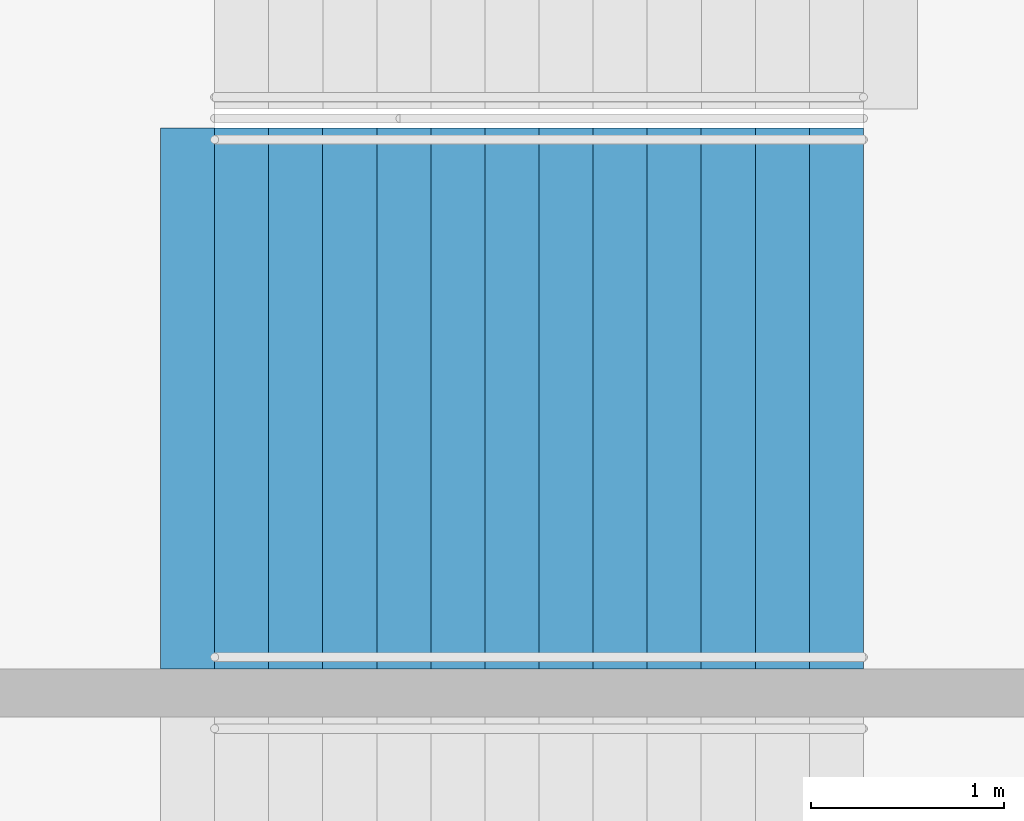
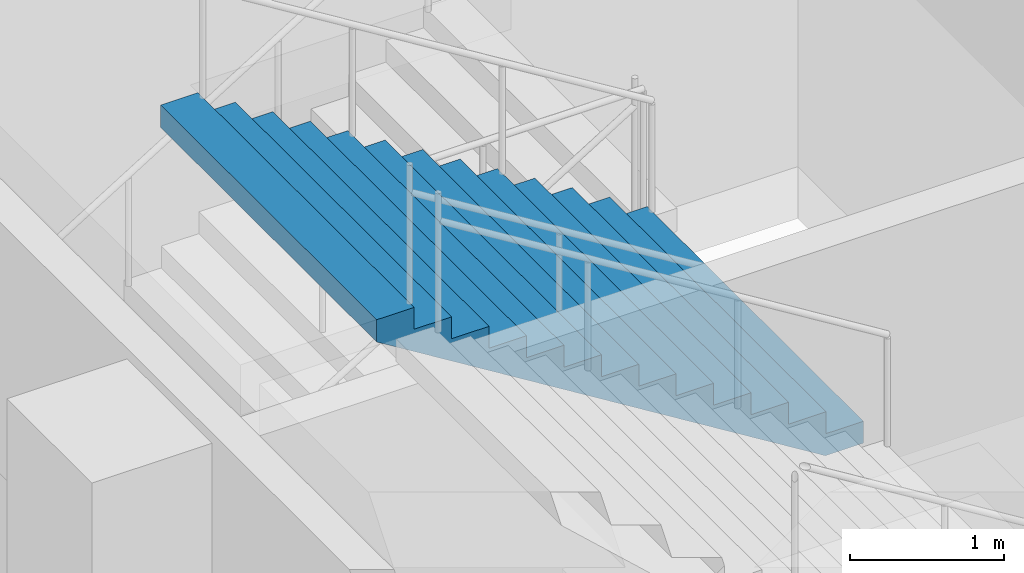
# One storey, part 121 of 177: 1 stair flight, 1 element without a shape of its own.
"""IFC4 building model written with IfcOpenShell, lengths in metres."""

import ifcopenshell
import ifcopenshell.guid

model = None  # the IFC model being written
_history = None  # IfcOwnerHistory: only IFC2X3 demands one
_inside = {}  # id of a spatial element -> (the spatial element, [elements in it])
_under = {}  # id of a project, library or spatial element -> (it, [spatial elements below it])
_declared = {}  # id of a project -> (the project, [libraries it declares])
_typed = {}  # id of a type object -> (the type object, [elements of that type])
_made_of = {}  # id of a material, layer set ... -> (it, [elements and type objects made of it])


def new_model(schema):
    """Start an empty IFC model of exactly this schema.

    Asked for "IFC4X3", IfcOpenShell would pick the latest addendum, in which some entities
    have other attributes; the version numbers below select the first issue.
    IFC2X3 requires an IfcOwnerHistory on every rooted entity: one is made here for all.
    """
    global model, _history
    if schema == "IFC4X3":
        model = ifcopenshell.file(schema_version=(4, 3, 0, 0))
    else:
        model = ifcopenshell.file(schema=schema)
    _inside.clear()
    _under.clear()
    _declared.clear()
    _typed.clear()
    _made_of.clear()
    _history = None
    if model.schema == "IFC2X3":
        org = make("IfcOrganization", Name="unknown")
        user = make(
            "IfcPersonAndOrganization",
            ThePerson=make("IfcPerson", FamilyName="unknown"),
            TheOrganization=org,
        )
        app = make(
            "IfcApplication",
            ApplicationDeveloper=org,
            Version="unknown",
            ApplicationFullName="unknown",
            ApplicationIdentifier="unknown",
        )
        _history = make(
            "IfcOwnerHistory",
            OwningUser=user,
            OwningApplication=app,
            ChangeAction="ADDED",
            CreationDate=0,
        )
    return model


def make(cls, **values):
    """One entity of the class cls with the attributes given. An attribute that is None is left unset."""
    return model.create_entity(
        cls, **{name: value for name, value in values.items() if value is not None}
    )


def rooted(cls, **values):
    """An entity with a GlobalId (a new one), such as an element, a storey or a relation."""
    return make(cls, GlobalId=ifcopenshell.guid.new(), OwnerHistory=_history, **values)


def si_unit(unit_type, name, prefix=None):
    """IfcSIUnit, for example si_unit("LENGTHUNIT", "METRE", prefix="MILLI")."""
    return make("IfcSIUnit", UnitType=unit_type, Prefix=prefix, Name=name)


def assignment(units):
    """IfcUnitAssignment: the units of a project."""
    return None if units is None else make("IfcUnitAssignment", Units=units)


def point(xyz):
    """IfcCartesianPoint."""
    return None if xyz is None else make("IfcCartesianPoint", Coordinates=xyz)


def direction(xyz):
    """IfcDirection."""
    return None if xyz is None else make("IfcDirection", DirectionRatios=xyz)


def frame(location, z_axis=None, x_axis=None):
    """IfcAxis2Placement3D, a coordinate frame: its origin and axes. An axis left out is left unset."""
    return make(
        "IfcAxis2Placement3D",
        Location=point(location),
        Axis=direction(z_axis),
        RefDirection=direction(x_axis),
    )


def origin():
    """The frame at (0, 0, 0) with its axes left unset."""
    return frame((0.0, 0.0, 0.0))


def place(relative_to, where):
    """IfcLocalPlacement: puts the frame where relative to a parent placement (None: the world)."""
    return make(
        "IfcLocalPlacement", PlacementRelTo=relative_to, RelativePlacement=where
    )


def context(
    kind, dimensions, precision=None, world=None, true_north=None, identifier=None
):
    """IfcGeometricRepresentationContext, for example the 3D "Model" context."""
    return make(
        "IfcGeometricRepresentationContext",
        ContextIdentifier=identifier,
        ContextType=kind,
        CoordinateSpaceDimension=dimensions,
        Precision=precision,
        WorldCoordinateSystem=world,
        TrueNorth=true_north,
    )


def subcontext(parent, identifier, kind, view, scale=None):
    """IfcGeometricRepresentationSubContext, for example "Body" below "Model"."""
    return make(
        "IfcGeometricRepresentationSubContext",
        ContextIdentifier=identifier,
        ContextType=kind,
        ParentContext=parent,
        TargetScale=scale,
        TargetView=view,
    )


def project(units=None, contexts=None):
    """IfcProject with its units and contexts."""
    return rooted(
        "IfcProject",
        Name="project",
        RepresentationContexts=contexts,
        UnitsInContext=assignment(units),
    )


def spatial(cls, under=None, at=None, **own):
    """A site, building, storey or space (cls), placed at a placement, below another one or the project."""
    s = rooted(cls, ObjectPlacement=at, **own)
    if under is not None:
        _under.setdefault(under.id(), (under, []))[1].append(s)
    return s


def faces_of(points, faces, orient=None, outer=None):
    """IfcFace entities. A face is a list of loops; a loop is a list of indices into points, from 0.

    orient and outer hold one flag for each loop. By default every Orientation is true, the
    first loop of a face is its IfcFaceOuterBound and the others are IfcFaceBound.
    """
    made = []
    for i, loops in enumerate(faces):
        bounds = []
        for j, loop in enumerate(loops):
            is_outer = j == 0 if outer is None else outer[i][j]
            bounds.append(
                make(
                    "IfcFaceOuterBound" if is_outer else "IfcFaceBound",
                    Bound=make("IfcPolyLoop", Polygon=[points[k] for k in loop]),
                    Orientation=True if orient is None else orient[i][j],
                )
            )
        made.append(make("IfcFace", Bounds=bounds))
    return made


def faceted_brep(points, faces, orient=None, outer=None, voids=None):
    """IfcFacetedBrep: a solid bounded by flat faces; with voids (closed shells), ...WithVoids."""
    shared = [point(p) for p in points]
    hull = make("IfcClosedShell", CfsFaces=faces_of(shared, faces, orient, outer))
    if voids is None:
        return make("IfcFacetedBrep", Outer=hull)
    return make(
        "IfcFacetedBrepWithVoids",
        Outer=hull,
        Voids=[
            make(cls, CfsFaces=faces_of(shared, fs, o, b)) for cls, fs, o, b in voids
        ],
    )


def shape(context_of_items, identifier, shape_type, items):
    """IfcShapeRepresentation: the items that make up one representation, for example the "Body"."""
    return make(
        "IfcShapeRepresentation",
        ContextOfItems=context_of_items,
        RepresentationIdentifier=identifier,
        RepresentationType=shape_type,
        Items=items,
    )


def material(Name=None, Category=None):
    """IfcMaterial."""
    return make("IfcMaterial", Name=Name, Category=Category)


def made_of(thing, what):
    """Note that an element or type object is made of a material, layer set ...; save() writes the relation."""
    if what is not None:
        _made_of.setdefault(what.id(), (what, []))[1].append(thing)
    return thing


def type_object(cls, material=None, **own):
    """A type object (cls), such as IfcWallType, which elements share."""
    return made_of(rooted(cls, **own), material)


def element(
    cls,
    number,
    at=None,
    inside=None,
    cuts=None,
    type_object=None,
    material=None,
    context=None,
    identifier="Body",
    shape_type=None,
    held_by="IfcProductDefinitionShape",
    body=None,
    shapes=None,
    **own,
):
    """One element of the class cls, such as IfcWall. Its Tag is "e" and its number.

    at: its placement. inside: the storey or other place that contains it. cuts: it is an
    opening in that element (IfcRelVoidsElement). A single representation is given by context,
    identifier, shape_type and body (its items); several are given by shapes. held_by: the class
    of the entity that holds the representations. save() writes the other relations.
    """
    e = rooted(cls, Tag="e%d" % number, ObjectPlacement=at, **own)
    if body is not None:
        shapes = [shape(context, identifier, shape_type, body)]
    if shapes is not None:
        e.Representation = make(held_by, Representations=shapes)
    if inside is not None:
        _inside.setdefault(inside.id(), (inside, []))[1].append(e)
    if cuts is not None:
        rooted(
            "IfcRelVoidsElement", RelatingBuildingElement=cuts, RelatedOpeningElement=e
        )
    if type_object is not None:
        _typed.setdefault(type_object.id(), (type_object, []))[1].append(e)
    return made_of(e, material)


def aggregate(whole, parts):
    """IfcRelAggregates: a whole, such as a stair, and the parts it consists of."""
    return rooted("IfcRelAggregates", RelatingObject=whole, RelatedObjects=parts)


def save(model, path):
    """Write the relations noted so far, then the file.

    IfcRelAggregates (storeys below a building ...), IfcRelContainedInSpatialStructure (elements
    in a storey), IfcRelDefinesByType, IfcRelAssociatesMaterial and IfcRelDeclares: one each for
    every whole, place, type object, material and project.
    """
    for whole, parts in _under.values():
        aggregate(whole, parts)
    for where, things in _inside.values():
        rooted(
            "IfcRelContainedInSpatialStructure",
            RelatedElements=things,
            RelatingStructure=where,
        )
    for kind, things in _typed.values():
        rooted("IfcRelDefinesByType", RelatedObjects=things, RelatingType=kind)
    for what, things in _made_of.values():
        rooted("IfcRelAssociatesMaterial", RelatedObjects=things, RelatingMaterial=what)
    for by, libraries in _declared.values():
        rooted("IfcRelDeclares", RelatingContext=by, RelatedDefinitions=libraries)
    model.write(path)


model = new_model("IFC4")

# Units and contexts
model_context = context("Model", 3, precision=1e-05, world=origin(), true_north=direction((0.0, 1.0)))
body_context = subcontext(model_context, "Body", "Model", "MODEL_VIEW")
ifc_project = project(units=[si_unit("LENGTHUNIT", "METRE"), si_unit("AREAUNIT", "SQUARE_METRE"), si_unit("VOLUMEUNIT", "CUBIC_METRE"), si_unit("PLANEANGLEUNIT", "RADIAN"), si_unit("MASSUNIT", "GRAM", prefix="KILO")], contexts=[model_context])

# Site, building, storey
site_placement = place(None, origin())
site = spatial("IfcSite", under=ifc_project, at=site_placement, CompositionType="ELEMENT")
building_placement = place(site_placement, origin())
building = spatial("IfcBuilding", under=site, at=building_placement, Name="Ogive Plaza Stadium", CompositionType="ELEMENT")
storey_placement = place(building_placement, frame((0.0, 0.0, 18.0)))
storey = spatial("IfcBuildingStorey", under=building, at=storey_placement, Name="L04", CompositionType="ELEMENT", Elevation=18.0)

# Stair, stair flight
ifc_material_1 = material(Name="Concrete C40/50", Category="concrete")
stair_type = type_object("IfcStairType", Name="Exit stair", PredefinedType="STRAIGHT_RUN_STAIR", material=ifc_material_1)
stair_placement = place(storey_placement, origin())
stair = element("IfcStair", 1, at=stair_placement, inside=storey, type_object=stair_type, Name="Exit stair ST08B L04 to L05", PredefinedType="STRAIGHT_RUN_STAIR")
ifc_material_2 = material(Name="Concrete C40/50", Category="concrete")
stair_flight_type = type_object("IfcStairFlightType", Name="Exit stair flight", PredefinedType="STRAIGHT", material=ifc_material_2)
stair_flight_placement = place(storey_placement, frame((79.7099609375, -50.97509765625, 2.25), z_axis=(0.0, 0.0, 1.0), x_axis=(-1.0, 0.0, 0.0)))
stair_flight = element("IfcStairFlight", 2, at=stair_flight_placement, type_object=stair_flight_type, Name="ST08B flight 2", NumberOfRisers=13, NumberOfTreads=12, PredefinedType="STRAIGHT", RiserHeight=0.173076923, TreadLength=0.28, context=body_context, shape_type="Brep", body=[
    faceted_brep([(0.28515625, -1.39990234375, 0.0), (3.639892578125, -1.39990234375, 2.07373046875), (3.639892578125, -1.39990234375, 2.25), (3.360107421875, -1.39990234375, 2.25), (3.360107421875, -1.39990234375, 2.076904296875), (3.080078125, -1.39990234375, 2.076904296875), (3.080078125, -1.39990234375, 1.90380859375), (2.800048828125, -1.39990234375, 1.90380859375), (2.800048828125, -1.39990234375, 1.730712890625), (2.52001953125, -1.39990234375, 1.730712890625), (2.52001953125, -1.39990234375, 1.5576171875), (2.239990234375, -1.39990234375, 1.5576171875), (2.239990234375, -1.39990234375, 1.384521484375), (1.9599609375, -1.39990234375, 1.384521484375), (1.9599609375, -1.39990234375, 1.21142578125), (1.679931640625, -1.39990234375, 1.21142578125), (1.679931640625, -1.39990234375, 1.03857421875), (1.39990234375, -1.39990234375, 1.03857421875), (1.39990234375, -1.39990234375, 0.865478515625), (1.1201171875, -1.39990234375, 0.865478515625), (1.1201171875, -1.39990234375, 0.6923828125), (0.840087890625, -1.39990234375, 0.6923828125), (0.840087890625, -1.39990234375, 0.519287109375), (0.56005859375, -1.39990234375, 0.519287109375), (0.56005859375, -1.39990234375, 0.34619140625), (0.280029296875, -1.39990234375, 0.34619140625), (0.280029296875, -1.39990234375, 0.173095703125), (0.0, -1.39990234375, 0.173095703125), (0.0, -1.39990234375, 0.0), (0.0, 1.39990234375, 0.0), (0.0, 1.39990234375, 0.173095703125), (0.280029296875, 1.39990234375, 0.173095703125), (0.280029296875, 1.39990234375, 0.34619140625), (0.56005859375, 1.39990234375, 0.34619140625), (0.56005859375, 1.39990234375, 0.519287109375), (0.840087890625, 1.39990234375, 0.519287109375), (0.840087890625, 1.39990234375, 0.6923828125), (1.1201171875, 1.39990234375, 0.6923828125), (1.1201171875, 1.39990234375, 0.865478515625), (1.39990234375, 1.39990234375, 0.865478515625), (1.39990234375, 1.39990234375, 1.03857421875), (1.679931640625, 1.39990234375, 1.03857421875), (1.679931640625, 1.39990234375, 1.21142578125), (1.9599609375, 1.39990234375, 1.21142578125), (1.9599609375, 1.39990234375, 1.384521484375), (2.239990234375, 1.39990234375, 1.384521484375), (2.239990234375, 1.39990234375, 1.5576171875), (2.52001953125, 1.39990234375, 1.5576171875), (2.52001953125, 1.39990234375, 1.730712890625), (2.800048828125, 1.39990234375, 1.730712890625), (2.800048828125, 1.39990234375, 1.90380859375), (3.080078125, 1.39990234375, 1.90380859375), (3.080078125, 1.39990234375, 2.076904296875), (3.360107421875, 1.39990234375, 2.076904296875), (3.360107421875, 1.39990234375, 2.25), (3.639892578125, 1.39990234375, 2.25), (3.639892578125, 1.39990234375, 2.07373046875), (0.28515625, 1.39990234375, 0.0), (0.28515625, -1.0888671875, 0.0), (3.639892578125, -1.0888671875, 2.07373046875), (0.28515625, -0.77783203125, 0.0), (3.639892578125, -0.77783203125, 2.07373046875), (0.28515625, -0.466796875, 0.0), (3.639892578125, -0.466796875, 2.07373046875), (0.28515625, -0.155517578125, 0.0), (3.639892578125, -0.155517578125, 2.07373046875), (0.28515625, 0.155517578125, 0.0), (3.639892578125, 0.155517578125, 2.07373046875), (0.28515625, 0.466796875, 0.0), (3.639892578125, 0.466796875, 2.07373046875), (0.28515625, 0.77783203125, 0.0), (3.639892578125, 0.77783203125, 2.07373046875), (0.28515625, 1.0888671875, 0.0), (3.639892578125, 1.0888671875, 2.07373046875), (3.639892578125, -1.0888671875, 2.25), (3.639892578125, -0.77783203125, 2.25), (3.639892578125, -0.466796875, 2.25), (3.639892578125, -0.155517578125, 2.25), (3.639892578125, 0.155517578125, 2.25), (3.639892578125, 0.466796875, 2.25), (3.639892578125, 0.77783203125, 2.25), (3.639892578125, 1.0888671875, 2.25), (3.360107421875, -1.0888671875, 2.25), (3.360107421875, -0.77783203125, 2.25), (3.360107421875, -0.466796875, 2.25), (3.360107421875, -0.155517578125, 2.25), (3.360107421875, 0.155517578125, 2.25), (3.360107421875, 0.466796875, 2.25), (3.360107421875, 0.77783203125, 2.25), (3.360107421875, 1.0888671875, 2.25), (3.360107421875, -1.0888671875, 2.076904296875), (3.360107421875, -0.77783203125, 2.076904296875), (3.360107421875, -0.466796875, 2.076904296875), (3.360107421875, -0.155517578125, 2.076904296875), (3.360107421875, 0.155517578125, 2.076904296875), (3.360107421875, 0.466796875, 2.076904296875), (3.360107421875, 0.77783203125, 2.076904296875), (3.360107421875, 1.0888671875, 2.076904296875), (3.080078125, -1.0888671875, 2.076904296875), (3.080078125, -0.77783203125, 2.076904296875), (3.080078125, -0.466796875, 2.076904296875), (3.080078125, -0.155517578125, 2.076904296875), (3.080078125, 0.155517578125, 2.076904296875), (3.080078125, 0.466796875, 2.076904296875), (3.080078125, 0.77783203125, 2.076904296875), (3.080078125, 1.0888671875, 2.076904296875), (3.080078125, -1.0888671875, 1.90380859375), (3.080078125, -0.77783203125, 1.90380859375), (3.080078125, -0.466796875, 1.90380859375), (3.080078125, -0.155517578125, 1.90380859375), (3.080078125, 0.155517578125, 1.90380859375), (3.080078125, 0.466796875, 1.90380859375), (3.080078125, 0.77783203125, 1.90380859375), (3.080078125, 1.0888671875, 1.90380859375), (2.800048828125, -1.0888671875, 1.90380859375), (2.800048828125, -0.77783203125, 1.90380859375), (2.800048828125, -0.466796875, 1.90380859375), (2.800048828125, -0.155517578125, 1.90380859375), (2.800048828125, 0.155517578125, 1.90380859375), (2.800048828125, 0.466796875, 1.90380859375), (2.800048828125, 0.77783203125, 1.90380859375), (2.800048828125, 1.0888671875, 1.90380859375), (2.800048828125, -1.0888671875, 1.730712890625), (2.800048828125, -0.77783203125, 1.730712890625), (2.800048828125, -0.466796875, 1.730712890625), (2.800048828125, -0.155517578125, 1.730712890625), (2.800048828125, 0.155517578125, 1.730712890625), (2.800048828125, 0.466796875, 1.730712890625), (2.800048828125, 0.77783203125, 1.730712890625), (2.800048828125, 1.0888671875, 1.730712890625), (2.52001953125, -1.0888671875, 1.730712890625), (2.52001953125, -0.77783203125, 1.730712890625), (2.52001953125, -0.466796875, 1.730712890625), (2.52001953125, -0.155517578125, 1.730712890625), (2.52001953125, 0.155517578125, 1.730712890625), (2.52001953125, 0.466796875, 1.730712890625), (2.52001953125, 0.77783203125, 1.730712890625), (2.52001953125, 1.0888671875, 1.730712890625), (2.52001953125, -1.0888671875, 1.5576171875), (2.52001953125, -0.77783203125, 1.5576171875), (2.52001953125, -0.466796875, 1.5576171875), (2.52001953125, -0.155517578125, 1.5576171875), (2.52001953125, 0.155517578125, 1.5576171875), (2.52001953125, 0.466796875, 1.5576171875), (2.52001953125, 0.77783203125, 1.5576171875), (2.52001953125, 1.0888671875, 1.5576171875), (2.239990234375, -1.0888671875, 1.5576171875), (2.239990234375, -0.77783203125, 1.5576171875), (2.239990234375, -0.466796875, 1.5576171875), (2.239990234375, -0.155517578125, 1.5576171875), (2.239990234375, 0.155517578125, 1.5576171875), (2.239990234375, 0.466796875, 1.5576171875), (2.239990234375, 0.77783203125, 1.5576171875), (2.239990234375, 1.0888671875, 1.5576171875), (2.239990234375, -1.0888671875, 1.384521484375), (2.239990234375, -0.77783203125, 1.384521484375), (2.239990234375, -0.466796875, 1.384521484375), (2.239990234375, -0.155517578125, 1.384521484375), (2.239990234375, 0.155517578125, 1.384521484375), (2.239990234375, 0.466796875, 1.384521484375), (2.239990234375, 0.77783203125, 1.384521484375), (2.239990234375, 1.0888671875, 1.384521484375), (1.9599609375, -1.0888671875, 1.384521484375), (1.9599609375, -0.77783203125, 1.384521484375), (1.9599609375, -0.466796875, 1.384521484375), (1.9599609375, -0.155517578125, 1.384521484375), (1.9599609375, 0.155517578125, 1.384521484375), (1.9599609375, 0.466796875, 1.384521484375), (1.9599609375, 0.77783203125, 1.384521484375), (1.9599609375, 1.0888671875, 1.384521484375), (1.9599609375, -1.0888671875, 1.21142578125), (1.9599609375, -0.77783203125, 1.21142578125), (1.9599609375, -0.466796875, 1.21142578125), (1.9599609375, -0.155517578125, 1.21142578125), (1.9599609375, 0.155517578125, 1.21142578125), (1.9599609375, 0.466796875, 1.21142578125), (1.9599609375, 0.77783203125, 1.21142578125), (1.9599609375, 1.0888671875, 1.21142578125), (1.679931640625, -1.0888671875, 1.21142578125), (1.679931640625, -0.77783203125, 1.21142578125), (1.679931640625, -0.466796875, 1.21142578125), (1.679931640625, -0.155517578125, 1.21142578125), (1.679931640625, 0.155517578125, 1.21142578125), (1.679931640625, 0.466796875, 1.21142578125), (1.679931640625, 0.77783203125, 1.21142578125), (1.679931640625, 1.0888671875, 1.21142578125), (1.679931640625, -1.0888671875, 1.03857421875), (1.679931640625, -0.77783203125, 1.03857421875), (1.679931640625, -0.466796875, 1.03857421875), (1.679931640625, -0.155517578125, 1.03857421875), (1.679931640625, 0.155517578125, 1.03857421875), (1.679931640625, 0.466796875, 1.03857421875), (1.679931640625, 0.77783203125, 1.03857421875), (1.679931640625, 1.0888671875, 1.03857421875), (1.39990234375, -1.0888671875, 1.03857421875), (1.39990234375, -0.77783203125, 1.03857421875), (1.39990234375, -0.466796875, 1.03857421875), (1.39990234375, -0.155517578125, 1.03857421875), (1.39990234375, 0.155517578125, 1.03857421875), (1.39990234375, 0.466796875, 1.03857421875), (1.39990234375, 0.77783203125, 1.03857421875), (1.39990234375, 1.0888671875, 1.03857421875), (1.39990234375, -1.0888671875, 0.865478515625), (1.39990234375, -0.77783203125, 0.865478515625), (1.39990234375, -0.466796875, 0.865478515625), (1.39990234375, -0.155517578125, 0.865478515625), (1.39990234375, 0.155517578125, 0.865478515625), (1.39990234375, 0.466796875, 0.865478515625), (1.39990234375, 0.77783203125, 0.865478515625), (1.39990234375, 1.0888671875, 0.865478515625), (1.1201171875, -1.0888671875, 0.865478515625), (1.1201171875, -0.77783203125, 0.865478515625), (1.1201171875, -0.466796875, 0.865478515625), (1.1201171875, -0.155517578125, 0.865478515625), (1.1201171875, 0.155517578125, 0.865478515625), (1.1201171875, 0.466796875, 0.865478515625), (1.1201171875, 0.77783203125, 0.865478515625), (1.1201171875, 1.0888671875, 0.865478515625), (1.1201171875, -1.0888671875, 0.6923828125), (1.1201171875, -0.77783203125, 0.6923828125), (1.1201171875, -0.466796875, 0.6923828125), (1.1201171875, -0.155517578125, 0.6923828125), (1.1201171875, 0.155517578125, 0.6923828125), (1.1201171875, 0.466796875, 0.6923828125), (1.1201171875, 0.77783203125, 0.6923828125), (1.1201171875, 1.0888671875, 0.6923828125), (0.840087890625, -1.0888671875, 0.6923828125), (0.840087890625, -0.77783203125, 0.6923828125), (0.840087890625, -0.466796875, 0.6923828125), (0.840087890625, -0.155517578125, 0.6923828125), (0.840087890625, 0.155517578125, 0.6923828125), (0.840087890625, 0.466796875, 0.6923828125), (0.840087890625, 0.77783203125, 0.6923828125), (0.840087890625, 1.0888671875, 0.6923828125), (0.840087890625, -1.0888671875, 0.519287109375), (0.840087890625, -0.77783203125, 0.519287109375), (0.840087890625, -0.466796875, 0.519287109375), (0.840087890625, -0.155517578125, 0.519287109375), (0.840087890625, 0.155517578125, 0.519287109375), (0.840087890625, 0.466796875, 0.519287109375), (0.840087890625, 0.77783203125, 0.519287109375), (0.840087890625, 1.0888671875, 0.519287109375), (0.56005859375, -1.0888671875, 0.519287109375), (0.56005859375, -0.77783203125, 0.519287109375), (0.56005859375, -0.466796875, 0.519287109375), (0.56005859375, -0.155517578125, 0.519287109375), (0.56005859375, 0.155517578125, 0.519287109375), (0.56005859375, 0.466796875, 0.519287109375), (0.56005859375, 0.77783203125, 0.519287109375), (0.56005859375, 1.0888671875, 0.519287109375), (0.56005859375, -1.0888671875, 0.34619140625), (0.56005859375, -0.77783203125, 0.34619140625), (0.56005859375, -0.466796875, 0.34619140625), (0.56005859375, -0.155517578125, 0.34619140625), (0.56005859375, 0.155517578125, 0.34619140625), (0.56005859375, 0.466796875, 0.34619140625), (0.56005859375, 0.77783203125, 0.34619140625), (0.56005859375, 1.0888671875, 0.34619140625), (0.280029296875, -1.0888671875, 0.34619140625), (0.280029296875, -0.77783203125, 0.34619140625), (0.280029296875, -0.466796875, 0.34619140625), (0.280029296875, -0.155517578125, 0.34619140625), (0.280029296875, 0.155517578125, 0.34619140625), (0.280029296875, 0.466796875, 0.34619140625), (0.280029296875, 0.77783203125, 0.34619140625), (0.280029296875, 1.0888671875, 0.34619140625), (0.280029296875, -1.0888671875, 0.173095703125), (0.280029296875, -0.77783203125, 0.173095703125), (0.280029296875, -0.466796875, 0.173095703125), (0.280029296875, -0.155517578125, 0.173095703125), (0.280029296875, 0.155517578125, 0.173095703125), (0.280029296875, 0.466796875, 0.173095703125), (0.280029296875, 0.77783203125, 0.173095703125), (0.280029296875, 1.0888671875, 0.173095703125), (0.0, -1.0888671875, 0.173095703125), (0.0, -0.77783203125, 0.173095703125), (0.0, -0.466796875, 0.173095703125), (0.0, -0.155517578125, 0.173095703125), (0.0, 0.155517578125, 0.173095703125), (0.0, 0.466796875, 0.173095703125), (0.0, 0.77783203125, 0.173095703125), (0.0, 1.0888671875, 0.173095703125), (0.0, -1.0888671875, 0.0), (0.0, -0.77783203125, 0.0), (0.0, -0.466796875, 0.0), (0.0, -0.155517578125, 0.0), (0.0, 0.155517578125, 0.0), (0.0, 0.466796875, 0.0), (0.0, 0.77783203125, 0.0), (0.0, 1.0888671875, 0.0)], [[[0, 1, 2, 3, 4, 5, 6, 7, 8, 9, 10, 11, 12, 13, 14, 15, 16, 17, 18, 19, 20, 21, 22, 23, 24, 25, 26, 27, 28]], [[29, 30, 31, 32, 33, 34, 35, 36, 37, 38, 39, 40, 41, 42, 43, 44, 45, 46, 47, 48, 49, 50, 51, 52, 53, 54, 55, 56, 57]], [[0, 58, 59, 1]], [[58, 60, 61, 59]], [[60, 62, 63, 61]], [[62, 64, 65, 63]], [[64, 66, 67, 65]], [[66, 68, 69, 67]], [[68, 70, 71, 69]], [[70, 72, 73, 71]], [[72, 57, 56, 73]], [[1, 59, 74, 2]], [[59, 61, 75, 74]], [[61, 63, 76, 75]], [[63, 65, 77, 76]], [[65, 67, 78, 77]], [[67, 69, 79, 78]], [[69, 71, 80, 79]], [[71, 73, 81, 80]], [[73, 56, 55, 81]], [[2, 74, 82, 3]], [[74, 75, 83, 82]], [[75, 76, 84, 83]], [[76, 77, 85, 84]], [[77, 78, 86, 85]], [[78, 79, 87, 86]], [[79, 80, 88, 87]], [[80, 81, 89, 88]], [[81, 55, 54, 89]], [[3, 82, 90, 4]], [[82, 83, 91, 90]], [[83, 84, 92, 91]], [[84, 85, 93, 92]], [[85, 86, 94, 93]], [[86, 87, 95, 94]], [[87, 88, 96, 95]], [[88, 89, 97, 96]], [[89, 54, 53, 97]], [[4, 90, 98, 5]], [[90, 91, 99, 98]], [[91, 92, 100, 99]], [[92, 93, 101, 100]], [[93, 94, 102, 101]], [[94, 95, 103, 102]], [[95, 96, 104, 103]], [[96, 97, 105, 104]], [[97, 53, 52, 105]], [[5, 98, 106, 6]], [[98, 99, 107, 106]], [[99, 100, 108, 107]], [[100, 101, 109, 108]], [[101, 102, 110, 109]], [[102, 103, 111, 110]], [[103, 104, 112, 111]], [[104, 105, 113, 112]], [[105, 52, 51, 113]], [[6, 106, 114, 7]], [[106, 107, 115, 114]], [[107, 108, 116, 115]], [[108, 109, 117, 116]], [[109, 110, 118, 117]], [[110, 111, 119, 118]], [[111, 112, 120, 119]], [[112, 113, 121, 120]], [[113, 51, 50, 121]], [[7, 114, 122, 8]], [[114, 115, 123, 122]], [[115, 116, 124, 123]], [[116, 117, 125, 124]], [[117, 118, 126, 125]], [[118, 119, 127, 126]], [[119, 120, 128, 127]], [[120, 121, 129, 128]], [[121, 50, 49, 129]], [[8, 122, 130, 9]], [[122, 123, 131, 130]], [[123, 124, 132, 131]], [[124, 125, 133, 132]], [[125, 126, 134, 133]], [[126, 127, 135, 134]], [[127, 128, 136, 135]], [[128, 129, 137, 136]], [[129, 49, 48, 137]], [[9, 130, 138, 10]], [[130, 131, 139, 138]], [[131, 132, 140, 139]], [[132, 133, 141, 140]], [[133, 134, 142, 141]], [[134, 135, 143, 142]], [[135, 136, 144, 143]], [[136, 137, 145, 144]], [[137, 48, 47, 145]], [[10, 138, 146, 11]], [[138, 139, 147, 146]], [[139, 140, 148, 147]], [[140, 141, 149, 148]], [[141, 142, 150, 149]], [[142, 143, 151, 150]], [[143, 144, 152, 151]], [[144, 145, 153, 152]], [[145, 47, 46, 153]], [[11, 146, 154, 12]], [[146, 147, 155, 154]], [[147, 148, 156, 155]], [[148, 149, 157, 156]], [[149, 150, 158, 157]], [[150, 151, 159, 158]], [[151, 152, 160, 159]], [[152, 153, 161, 160]], [[153, 46, 45, 161]], [[12, 154, 162, 13]], [[154, 155, 163, 162]], [[155, 156, 164, 163]], [[156, 157, 165, 164]], [[157, 158, 166, 165]], [[158, 159, 167, 166]], [[159, 160, 168, 167]], [[160, 161, 169, 168]], [[161, 45, 44, 169]], [[13, 162, 170, 14]], [[162, 163, 171, 170]], [[163, 164, 172, 171]], [[164, 165, 173, 172]], [[165, 166, 174, 173]], [[166, 167, 175, 174]], [[167, 168, 176, 175]], [[168, 169, 177, 176]], [[169, 44, 43, 177]], [[14, 170, 178, 15]], [[170, 171, 179, 178]], [[171, 172, 180, 179]], [[172, 173, 181, 180]], [[173, 174, 182, 181]], [[174, 175, 183, 182]], [[175, 176, 184, 183]], [[176, 177, 185, 184]], [[177, 43, 42, 185]], [[15, 178, 186, 16]], [[178, 179, 187, 186]], [[179, 180, 188, 187]], [[180, 181, 189, 188]], [[181, 182, 190, 189]], [[182, 183, 191, 190]], [[183, 184, 192, 191]], [[184, 185, 193, 192]], [[185, 42, 41, 193]], [[16, 186, 194, 17]], [[186, 187, 195, 194]], [[187, 188, 196, 195]], [[188, 189, 197, 196]], [[189, 190, 198, 197]], [[190, 191, 199, 198]], [[191, 192, 200, 199]], [[192, 193, 201, 200]], [[193, 41, 40, 201]], [[17, 194, 202, 18]], [[194, 195, 203, 202]], [[195, 196, 204, 203]], [[196, 197, 205, 204]], [[197, 198, 206, 205]], [[198, 199, 207, 206]], [[199, 200, 208, 207]], [[200, 201, 209, 208]], [[201, 40, 39, 209]], [[18, 202, 210, 19]], [[202, 203, 211, 210]], [[203, 204, 212, 211]], [[204, 205, 213, 212]], [[205, 206, 214, 213]], [[206, 207, 215, 214]], [[207, 208, 216, 215]], [[208, 209, 217, 216]], [[209, 39, 38, 217]], [[19, 210, 218, 20]], [[210, 211, 219, 218]], [[211, 212, 220, 219]], [[212, 213, 221, 220]], [[213, 214, 222, 221]], [[214, 215, 223, 222]], [[215, 216, 224, 223]], [[216, 217, 225, 224]], [[217, 38, 37, 225]], [[20, 218, 226, 21]], [[218, 219, 227, 226]], [[219, 220, 228, 227]], [[220, 221, 229, 228]], [[221, 222, 230, 229]], [[222, 223, 231, 230]], [[223, 224, 232, 231]], [[224, 225, 233, 232]], [[225, 37, 36, 233]], [[21, 226, 234, 22]], [[226, 227, 235, 234]], [[227, 228, 236, 235]], [[228, 229, 237, 236]], [[229, 230, 238, 237]], [[230, 231, 239, 238]], [[231, 232, 240, 239]], [[232, 233, 241, 240]], [[233, 36, 35, 241]], [[22, 234, 242, 23]], [[234, 235, 243, 242]], [[235, 236, 244, 243]], [[236, 237, 245, 244]], [[237, 238, 246, 245]], [[238, 239, 247, 246]], [[239, 240, 248, 247]], [[240, 241, 249, 248]], [[241, 35, 34, 249]], [[23, 242, 250, 24]], [[242, 243, 251, 250]], [[243, 244, 252, 251]], [[244, 245, 253, 252]], [[245, 246, 254, 253]], [[246, 247, 255, 254]], [[247, 248, 256, 255]], [[248, 249, 257, 256]], [[249, 34, 33, 257]], [[24, 250, 258, 25]], [[250, 251, 259, 258]], [[251, 252, 260, 259]], [[252, 253, 261, 260]], [[253, 254, 262, 261]], [[254, 255, 263, 262]], [[255, 256, 264, 263]], [[256, 257, 265, 264]], [[257, 33, 32, 265]], [[25, 258, 266, 26]], [[258, 259, 267, 266]], [[259, 260, 268, 267]], [[260, 261, 269, 268]], [[261, 262, 270, 269]], [[262, 263, 271, 270]], [[263, 264, 272, 271]], [[264, 265, 273, 272]], [[265, 32, 31, 273]], [[26, 266, 274, 27]], [[266, 267, 275, 274]], [[267, 268, 276, 275]], [[268, 269, 277, 276]], [[269, 270, 278, 277]], [[270, 271, 279, 278]], [[271, 272, 280, 279]], [[272, 273, 281, 280]], [[273, 31, 30, 281]], [[27, 274, 282, 28]], [[274, 275, 283, 282]], [[275, 276, 284, 283]], [[276, 277, 285, 284]], [[277, 278, 286, 285]], [[278, 279, 287, 286]], [[279, 280, 288, 287]], [[280, 281, 289, 288]], [[281, 30, 29, 289]], [[28, 282, 58, 0]], [[282, 283, 60, 58]], [[283, 284, 62, 60]], [[284, 285, 64, 62]], [[285, 286, 66, 64]], [[286, 287, 68, 66]], [[287, 288, 70, 68]], [[288, 289, 72, 70]], [[289, 29, 57, 72]]]),
])
aggregate(stair, [stair_flight])

save(model, "model.ifc")
